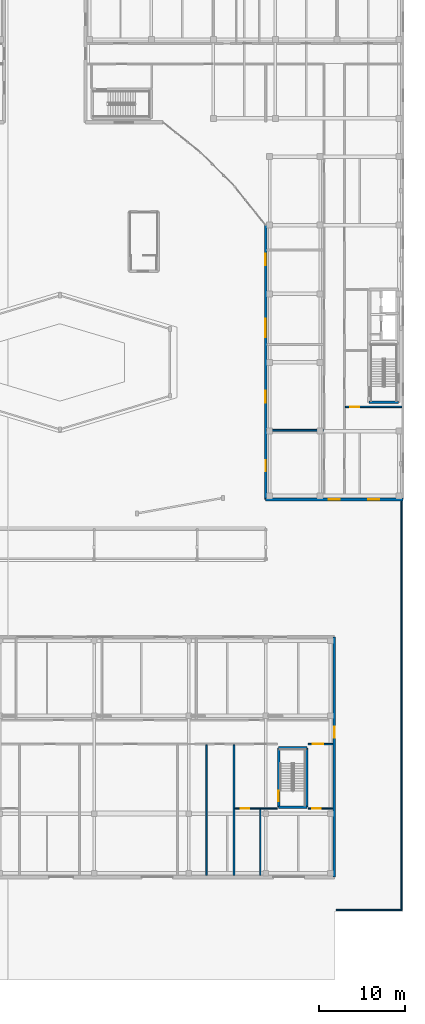
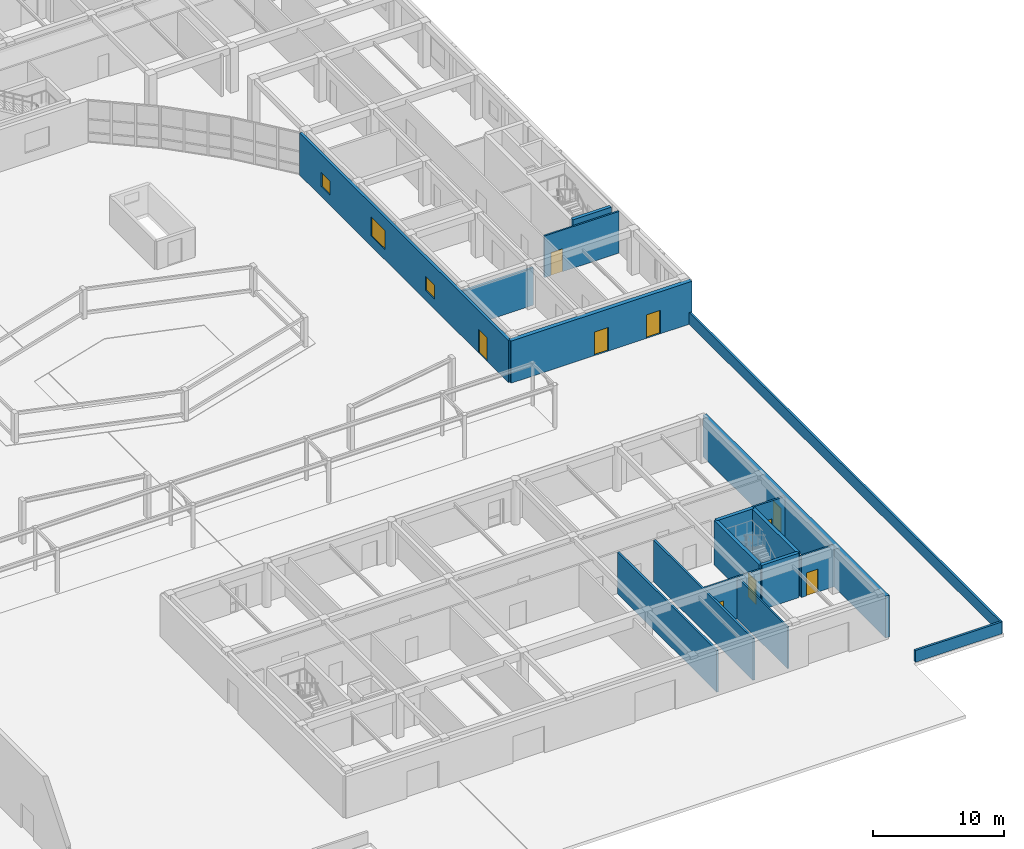
# One storey, part 88 of 114: 18 walls, 9 doors, 3 windows, 12 openings.
"""IFC4 building model written with IfcOpenShell, lengths in metres."""

from ifc_helpers import new_model, si_unit, direction, frame, frame_2d, origin, place, context, subcontext, project, spatial, rectangle, extrude, material, layer, layer_set, type_object, element, fill, save


model = new_model("IFC4")

# Units and contexts
model_context = context("Model", 3, precision=1e-05, world=origin(), true_north=direction((0.0, 1.0)))
body_context = subcontext(model_context, "Body", "Model", "MODEL_VIEW")
ifc_project = project(units=[si_unit("LENGTHUNIT", "METRE"), si_unit("AREAUNIT", "SQUARE_METRE"), si_unit("VOLUMEUNIT", "CUBIC_METRE"), si_unit("PLANEANGLEUNIT", "RADIAN"), si_unit("MASSUNIT", "GRAM", prefix="KILO")], contexts=[model_context])

# Site, building, storey
site_placement = place(None, origin())
site = spatial("IfcSite", under=ifc_project, at=site_placement, CompositionType="ELEMENT")
building_placement = place(site_placement, origin())
building = spatial("IfcBuilding", under=site, at=building_placement, Name="Keldmere Railside Commons", CompositionType="ELEMENT")
storey_placement = place(building_placement, origin())
storey = spatial("IfcBuildingStorey", under=building, at=storey_placement, Name="L00", CompositionType="ELEMENT", Elevation=0.0)

# Walls
ifc_material_1 = material(Name="Acoustic Gypsum Board Partition", Category="gypsum")
ifc_layer_1 = layer(ifc_material_1, 0.179931640625, Name="Acoustic Demising Partition 180")
ifc_layer_set_1 = layer_set([ifc_layer_1], Name="Acoustic Gypsum Board Partition")
wall_type_1 = type_object("IfcWallType", Name="Acoustic Demising Partition 180", PredefinedType="PARTITIONING", material=ifc_layer_set_1)
for number, where, z_axis, x_axis, name in (
    (1, (164.300048828125, 12.199951171875, 0.0), (0.0, 0.0, 1.0), (0.0, 1.0, 0.0), "IW-1 IW-L00-0135"),
    (2, (161.10009765625, 12.199951171875, 0.0), (0.0, 0.0, 1.0), (0.0, 1.0, 0.0), "IW-1 IW-L00-0141"),
):
    element("IfcWall", number, at=place(storey_placement, frame(where, z_axis=z_axis, x_axis=x_axis)), inside=storey, type_object=wall_type_1, Name=name, PredefinedType="PARTITIONING", context=body_context, shape_type="SweptSolid", body=[
        extrude(rectangle(XDim=15.219970703125, YDim=0.179931640625, at=frame_2d((7.60986328125, 0.0))), origin(), (0.0, 0.0, 1.0), 3.889892578125),
    ])

# Wall, opening, door
ifc_layer_2 = layer(ifc_material_1, 0.159912109375, Name="Corridor Fire Partition 160")
ifc_layer_set_2 = layer_set([ifc_layer_2], Name="Acoustic Gypsum Board Partition")
wall_type_2 = type_object("IfcWallType", Name="Corridor Fire Partition 160", PredefinedType="PARTITIONING", material=ifc_layer_set_2)
wall_1_placement = place(storey_placement, frame((172.949951171875, 27.5, 0.0), z_axis=(0.0, 0.0, 1.0), x_axis=(1.0, 0.0, 0.0)))
wall_1 = element("IfcWall", 3, at=wall_1_placement, inside=storey, type_object=wall_type_2, Name="IW-2 IW-L00-0132", PredefinedType="PARTITIONING", context=body_context, shape_type="SweptSolid", body=[
    extrude(rectangle(XDim=2.89013671875, YDim=0.159912109375, at=frame_2d((1.445068359375, 0.0))), origin(), (0.0, 0.0, 1.0), 3.889892578125),
])
opening_1_placement = place(wall_1_placement, frame((0.550048828125, 0.0, 0.0)))
opening_1 = element("IfcOpeningElement", 4, at=opening_1_placement, cuts=wall_1, Name="Opening FD-10", PredefinedType="OPENING", context=body_context, shape_type="SweptSolid", body=[
    extrude(rectangle(XDim=1.199951171875, YDim=2.199951171875, at=frame_2d((0.60009765625, 1.10009765625))), frame((0.0, 0.08984375, 0.0), z_axis=(0.0, -1.0, 0.0), x_axis=(1.0, 0.0, 0.0)), (0.0, 0.0, 1.0), 0.179931640625),
])
ifc_material_2 = material(Name="Steel F-24 (S235)", Category="steel")
door_type_1 = type_object("IfcDoorType", Name="Civic Core Fire Door 1200x2200", OperationType="NOTDEFINED", PredefinedType="DOOR", material=ifc_material_2)
door_1_placement = place(opening_1_placement, origin())
door_1 = element("IfcDoor", 5, at=door_1_placement, inside=storey, type_object=door_type_1, Name="FD-10 IDR-L00-0059", OperationType="SINGLE_SWING_LEFT", OverallHeight=2.199951171875, OverallWidth=1.199951171875, PredefinedType="DOOR", context=body_context, shape_type="SweptSolid", body=[
    extrude(rectangle(XDim=1.199951171875, YDim=2.199951171875, at=frame_2d((0.60009765625, 1.10009765625))), frame((0.0, 0.02490234375, 0.0), z_axis=(0.0, -1.0, 0.0), x_axis=(1.0, 0.0, 0.0)), (0.0, 0.0, 1.0), 0.050048828125),
])
fill(opening_1, door_1)

wall_2_placement = place(storey_placement, frame((164.389892578125, 20.0, 0.0), z_axis=(0.0, 0.0, 1.0), x_axis=(1.0, 0.0, 0.0)))
wall_2 = element("IfcWall", 6, at=wall_2_placement, inside=storey, type_object=wall_type_2, Name="IW-2 IW-L00-0144", PredefinedType="PARTITIONING", context=body_context, shape_type="SweptSolid", body=[
    extrude(rectangle(XDim=4.97021484375, YDim=0.159912109375, at=frame_2d((2.485107421875, 0.0))), origin(), (0.0, 0.0, 1.0), 3.889892578125),
])
opening_2_placement = place(wall_2_placement, frame((0.699951171875, 0.0, 0.0)))
opening_2 = element("IfcOpeningElement", 7, at=opening_2_placement, cuts=wall_2, Name="Opening FD-9", PredefinedType="OPENING", context=body_context, shape_type="SweptSolid", body=[
    extrude(rectangle(XDim=1.0, YDim=2.10009765625, at=frame_2d((0.5, 1.050048828125))), frame((0.0, 0.08984375, 0.0), z_axis=(0.0, -1.0, 0.0), x_axis=(1.0, 0.0, 0.0)), (0.0, 0.0, 1.0), 0.179931640625),
])
door_type_2 = type_object("IfcDoorType", Name="Waste & Storage Fire Door 1000x2100", OperationType="NOTDEFINED", PredefinedType="DOOR", material=ifc_material_2)
door_2_placement = place(opening_2_placement, origin())
door_2 = element("IfcDoor", 8, at=door_2_placement, inside=storey, type_object=door_type_2, Name="FD-9 IDR-L00-0069", OperationType="SINGLE_SWING_LEFT", OverallHeight=2.10009765625, OverallWidth=1.0, PredefinedType="DOOR", context=body_context, shape_type="SweptSolid", body=[
    extrude(rectangle(XDim=1.0, YDim=2.10009765625, at=frame_2d((0.5, 1.050048828125))), frame((0.0, 0.02490234375, 0.0), z_axis=(0.0, -1.0, 0.0), x_axis=(1.0, 0.0, 0.0)), (0.0, 0.0, 1.0), 0.050048828125),
])
fill(opening_2, door_2)

wall_3_placement = place(storey_placement, frame((172.949951171875, 20.0, 0.0), z_axis=(0.0, 0.0, 1.0), x_axis=(1.0, 0.0, 0.0)))
wall_3 = element("IfcWall", 9, at=wall_3_placement, inside=storey, type_object=wall_type_2, Name="IW-2 IW-L00-0145", PredefinedType="PARTITIONING", context=body_context, shape_type="SweptSolid", body=[
    extrude(rectangle(XDim=2.89013671875, YDim=0.159912109375, at=frame_2d((1.445068359375, 0.0))), origin(), (0.0, 0.0, 1.0), 3.889892578125),
])
opening_3_placement = place(wall_3_placement, frame((0.449951171875, 0.0, 0.0)))
opening_3 = element("IfcOpeningElement", 10, at=opening_3_placement, cuts=wall_3, Name="Opening ID-14", PredefinedType="OPENING", context=body_context, shape_type="SweptSolid", body=[
    extrude(rectangle(XDim=1.0400390625, YDim=2.14990234375, at=frame_2d((0.52001953125, 1.074951171875))), frame((0.0, 0.08984375, 0.0), z_axis=(0.0, -1.0, 0.0), x_axis=(1.0, 0.0, 0.0)), (0.0, 0.0, 1.0), 0.179931640625),
])
door_type_3 = type_object("IfcDoorType", Name="Market Shop Back-of-House Door 1040x2150", OperationType="NOTDEFINED", PredefinedType="DOOR", material=ifc_material_2)
door_3_placement = place(opening_3_placement, origin())
door_3 = element("IfcDoor", 11, at=door_3_placement, inside=storey, type_object=door_type_3, Name="ID-14 IDR-L00-0070", OperationType="SINGLE_SWING_RIGHT", OverallHeight=2.14990234375, OverallWidth=1.0400390625, PredefinedType="DOOR", context=body_context, shape_type="SweptSolid", body=[
    extrude(rectangle(XDim=1.0400390625, YDim=2.14990234375, at=frame_2d((0.52001953125, 1.074951171875))), frame((0.0, 0.02490234375, 0.0), z_axis=(0.0, -1.0, 0.0), x_axis=(1.0, 0.0, 0.0)), (0.0, 0.0, 1.0), 0.050048828125),
])
fill(opening_3, door_3)

ifc_material_3 = material(Name="Concrete H-35 (C35/45)", Category="concrete")
ifc_layer_3 = layer(ifc_material_3, 0.320068359375, Name="Exterior Shear Wall 320")
ifc_layer_set_3 = layer_set([ifc_layer_3], Name="Concrete H-35 (C35/45)")
wall_type_3 = type_object("IfcWallType", Name="Exterior Shear Wall 320", PredefinedType="SHEAR", material=ifc_layer_set_3)
wall_4_placement = place(storey_placement, frame((176.0, 40.0, 0.0), z_axis=(0.0, 0.0, 1.0), x_axis=(0.0, -1.0, 0.0)))
wall_4 = element("IfcWall", 12, at=wall_4_placement, inside=storey, type_object=wall_type_3, Name="ESW-2 ARCE-L00-1008", PredefinedType="SHEAR", context=body_context, shape_type="SweptSolid", body=[
    extrude(rectangle(XDim=28.0, YDim=0.320068359375, at=frame_2d((14.0, 0.0))), origin(), (0.0, 0.0, 1.0), 3.89990234375),
])
opening_4_placement = place(wall_4_placement, frame((10.47998046875, 0.0, 0.0)))
opening_4 = element("IfcOpeningElement", 13, at=opening_4_placement, cuts=wall_4, Name="Opening ED-02", PredefinedType="OPENING", context=body_context, shape_type="SweptSolid", body=[
    extrude(rectangle(XDim=1.25, YDim=2.199951171875, at=frame_2d((0.625, 1.10009765625))), frame((0.0, 0.169921875, 0.0), z_axis=(0.0, -1.0, 0.0), x_axis=(1.0, 0.0, 0.0)), (0.0, 0.0, 1.0), 0.340087890625),
])
door_type_4 = type_object("IfcDoorType", Name="Stair Final Escape Exit Door 1250x2200", OperationType="NOTDEFINED", PredefinedType="DOOR", material=ifc_material_2)
door_4_placement = place(opening_4_placement, origin())
door_4 = element("IfcDoor", 14, at=door_4_placement, inside=storey, type_object=door_type_4, Name="ED-02 DR-L00-0311", OperationType="SINGLE_SWING_LEFT", OverallHeight=2.199951171875, OverallWidth=1.25, PredefinedType="DOOR", context=body_context, shape_type="SweptSolid", body=[
    extrude(rectangle(XDim=1.25, YDim=2.199951171875, at=frame_2d((0.625, 1.10009765625))), frame((0.0, 0.02490234375, 0.0), z_axis=(0.0, -1.0, 0.0), x_axis=(1.0, 0.0, 0.0)), (0.0, 0.0, 1.0), 0.050048828125),
])
fill(opening_4, door_4)

# Wall, openings, doors
ifc_layer_4 = layer(ifc_material_3, 0.360107421875, Name="Exterior Shear Wall 360")
ifc_layer_set_4 = layer_set([ifc_layer_4], Name="Concrete H-35 (C35/45)")
wall_type_4 = type_object("IfcWallType", Name="Exterior Shear Wall 360", PredefinedType="SHEAR", material=ifc_layer_set_4)
wall_5_placement = place(storey_placement, frame((184.0, 56.0, 0.0), z_axis=(0.0, 0.0, 1.0), x_axis=(-1.0, 0.0, 0.0)))
wall_5 = element("IfcWall", 15, at=wall_5_placement, inside=storey, type_object=wall_type_4, Name="ESW-1 EXTA-L00-0876", PredefinedType="SHEAR", context=body_context, shape_type="SweptSolid", body=[
    extrude(rectangle(XDim=16.0, YDim=0.360107421875, at=frame_2d((8.0, 0.0))), origin(), (0.0, 0.0, 1.0), 3.93994140625),
])
opening_5_placement = place(wall_5_placement, frame((7.375, 0.0, 0.0)))
opening_5 = element("IfcOpeningElement", 16, at=opening_5_placement, cuts=wall_5, Name="Opening ED-02", PredefinedType="OPENING", context=body_context, shape_type="SweptSolid", body=[
    extrude(rectangle(XDim=1.25, YDim=2.199951171875, at=frame_2d((0.625, 1.10009765625))), frame((0.0, 0.18994140625, 0.0), z_axis=(0.0, -1.0, 0.0), x_axis=(1.0, 0.0, 0.0)), (0.0, 0.0, 1.0), 0.380126953125),
])
opening_6_placement = place(wall_5_placement, frame((2.77490234375, 0.0, 0.0)))
opening_6 = element("IfcOpeningElement", 17, at=opening_6_placement, cuts=wall_5, Name="Opening ED-02", PredefinedType="OPENING", context=body_context, shape_type="SweptSolid", body=[
    extrude(rectangle(XDim=1.25, YDim=2.199951171875, at=frame_2d((0.625, 1.10009765625))), frame((0.0, 0.18994140625, 0.0), z_axis=(0.0, -1.0, 0.0), x_axis=(1.0, 0.0, 0.0)), (0.0, 0.0, 1.0), 0.380126953125),
])
door_5_placement = place(opening_5_placement, origin())
door_5 = element("IfcDoor", 18, at=door_5_placement, inside=storey, type_object=door_type_4, Name="ED-02 DR-L00-0214", OperationType="SINGLE_SWING_LEFT", OverallHeight=2.199951171875, OverallWidth=1.25, PredefinedType="DOOR", context=body_context, shape_type="SweptSolid", body=[
    extrude(rectangle(XDim=1.25, YDim=2.199951171875, at=frame_2d((0.625, 1.10009765625))), frame((0.0, 0.02490234375, 0.0), z_axis=(0.0, -1.0, 0.0), x_axis=(1.0, 0.0, 0.0)), (0.0, 0.0, 1.0), 0.050048828125),
])
fill(opening_5, door_5)
door_6_placement = place(opening_6_placement, origin())
door_6 = element("IfcDoor", 19, at=door_6_placement, inside=storey, type_object=door_type_4, Name="ED-02 DR-L00-0215", OperationType="SINGLE_SWING_RIGHT", OverallHeight=2.199951171875, OverallWidth=1.25, PredefinedType="DOOR", context=body_context, shape_type="SweptSolid", body=[
    extrude(rectangle(XDim=1.25, YDim=2.199951171875, at=frame_2d((0.625, 1.10009765625))), frame((0.0, 0.02490234375, 0.0), z_axis=(0.0, -1.0, 0.0), x_axis=(1.0, 0.0, 0.0)), (0.0, 0.0, 1.0), 0.050048828125),
])
fill(opening_6, door_6)

# Walls
ifc_layer_5 = layer(ifc_material_3, 0.300048828125, Name="Interior Shear Wall 300")
ifc_layer_set_5 = layer_set([ifc_layer_5], Name="Concrete H-35 (C35/45)")
wall_type_5 = type_object("IfcWallType", Name="Interior Shear Wall 300", PredefinedType="SHEAR", material=ifc_layer_set_5)
wall_6_placement = place(storey_placement, frame((183.469970703125, 67.35009765625, 0.0), z_axis=(0.0, 0.0, 1.0), x_axis=(-1.0, 0.0, 0.0)))
element("IfcWall", 20, at=wall_6_placement, inside=storey, type_object=wall_type_5, Name="ISW-2 COREAS-L00-0711", PredefinedType="SHEAR", context=body_context, shape_type="SweptSolid", body=[
    extrude(rectangle(XDim=3.409912109375, YDim=0.300048828125, at=frame_2d((1.705078125, 0.0))), origin(), (0.0, 0.0, 1.0), 4.159912109375),
])
wall_7_placement = place(storey_placement, frame((172.800048828125, 20.14990234375, 0.0), z_axis=(0.0, 0.0, 1.0), x_axis=(-1.0, 0.0, 0.0)))
element("IfcWall", 21, at=wall_7_placement, inside=storey, type_object=wall_type_5, Name="ISW-2 WAL-ST-M2-L00-S", PredefinedType="SHEAR", context=body_context, shape_type="SweptSolid", body=[
    extrude(rectangle(XDim=3.2900390625, YDim=0.300048828125, at=frame_2d((1.64501953125, 0.0))), origin(), (0.0, 0.0, 1.0), 4.159912109375),
])
wall_8_placement = place(storey_placement, frame((172.800048828125, 27.050048828125, 0.0), z_axis=(0.0, 0.0, 1.0), x_axis=(0.0, -1.0, 0.0)))
element("IfcWall", 22, at=wall_8_placement, inside=storey, type_object=wall_type_5, Name="ISW-2 WAL-ST-M2-L00-E", PredefinedType="SHEAR", context=body_context, shape_type="SweptSolid", body=[
    extrude(rectangle(XDim=6.900146484375, YDim=0.300048828125, at=frame_2d((3.4501953125, 0.0))), origin(), (0.0, 0.0, 1.0), 4.159912109375),
])
wall_9_placement = place(storey_placement, frame((169.510009765625, 27.050048828125, 0.0), z_axis=(0.0, 0.0, 1.0), x_axis=(1.0, 0.0, 0.0)))
element("IfcWall", 23, at=wall_9_placement, inside=storey, type_object=wall_type_5, Name="ISW-2 WAL-ST-M2-L00-N", PredefinedType="SHEAR", context=body_context, shape_type="SweptSolid", body=[
    extrude(rectangle(XDim=3.2900390625, YDim=0.300048828125, at=frame_2d((1.64501953125, 0.0))), origin(), (0.0, 0.0, 1.0), 4.159912109375),
])

# Wall, opening, door
wall_10_placement = place(storey_placement, frame((169.510009765625, 20.14990234375, 0.0), z_axis=(0.0, 0.0, 1.0), x_axis=(0.0, 1.0, 0.0)))
wall_10 = element("IfcWall", 24, at=wall_10_placement, inside=storey, type_object=wall_type_5, Name="ISW-2 WAL-ST-M2-L00-W", PredefinedType="SHEAR", context=body_context, shape_type="SweptSolid", body=[
    extrude(rectangle(XDim=6.900146484375, YDim=0.300048828125, at=frame_2d((3.4501953125, 0.0))), origin(), (0.0, 0.0, 1.0), 4.159912109375),
])
opening_7_placement = place(wall_10_placement, frame((0.699951171875, 0.0, 0.0)))
opening_7 = element("IfcOpeningElement", 25, at=opening_7_placement, cuts=wall_10, Name="Opening FD-10", PredefinedType="OPENING", context=body_context, shape_type="SweptSolid", body=[
    extrude(rectangle(XDim=1.199951171875, YDim=2.199951171875, at=frame_2d((0.60009765625, 1.10009765625))), frame((0.0, 0.159912109375, 0.0), z_axis=(0.0, -1.0, 0.0), x_axis=(1.0, 0.0, 0.0)), (0.0, 0.0, 1.0), 0.320068359375),
])
door_7_placement = place(opening_7_placement, origin())
door_7 = element("IfcDoor", 26, at=door_7_placement, inside=storey, type_object=door_type_1, Name="FD-3 ST-M2 L00", OperationType="SINGLE_SWING_LEFT", OverallHeight=2.199951171875, OverallWidth=1.199951171875, PredefinedType="DOOR", context=body_context, shape_type="SweptSolid", body=[
    extrude(rectangle(XDim=1.199951171875, YDim=2.199951171875, at=frame_2d((0.60009765625, 1.10009765625))), frame((0.0, 0.02490234375, 0.0), z_axis=(0.0, -1.0, 0.0), x_axis=(1.0, 0.0, 0.0)), (0.0, 0.0, 1.0), 0.050048828125),
])
fill(opening_7, door_7)

ifc_layer_6 = layer(ifc_material_1, 0.14990234375, Name="Lobby Rated Partition 150")
ifc_layer_set_6 = layer_set([ifc_layer_6], Name="Acoustic Gypsum Board Partition")
wall_type_6 = type_object("IfcWallType", Name="Lobby Rated Partition 150", PredefinedType="PARTITIONING", material=ifc_layer_set_6)
wall_11_placement = place(storey_placement, frame((177.280029296875, 66.820068359375, 0.0), z_axis=(0.0, 0.0, 1.0), x_axis=(1.0, 0.0, 0.0)))
wall_11 = element("IfcWall", 27, at=wall_11_placement, inside=storey, type_object=wall_type_6, Name="IW-3 IW-L00-1401", PredefinedType="PARTITIONING", context=body_context, shape_type="SweptSolid", body=[
    extrude(rectangle(XDim=6.599853515625, YDim=0.14990234375, at=frame_2d((3.2998046875, 0.0))), origin(), (0.0, 0.0, 1.0), 3.89501953125),
])
opening_8_placement = place(wall_11_placement, frame((0.550048828125, 0.0, 0.0)))
opening_8 = element("IfcOpeningElement", 28, at=opening_8_placement, cuts=wall_11, Name="Opening FD-1", PredefinedType="OPENING", context=body_context, shape_type="SweptSolid", body=[
    extrude(rectangle(XDim=1.050048828125, YDim=2.14990234375, at=frame_2d((0.52490234375, 1.074951171875))), frame((0.0, 0.0849609375, 0.0), z_axis=(0.0, -1.0, 0.0), x_axis=(1.0, 0.0, 0.0)), (0.0, 0.0, 1.0), 0.169921875),
])
door_type_5 = type_object("IfcDoorType", Name="Stair Core Fire Door 1050x2150", OperationType="NOTDEFINED", PredefinedType="DOOR", material=ifc_material_2)
door_8_placement = place(opening_8_placement, origin())
door_8 = element("IfcDoor", 29, at=door_8_placement, inside=storey, type_object=door_type_5, Name="FD-1 IDR-L00-1260", OperationType="SINGLE_SWING_RIGHT", OverallHeight=2.14990234375, OverallWidth=1.050048828125, PredefinedType="DOOR", context=body_context, shape_type="SweptSolid", body=[
    extrude(rectangle(XDim=1.050048828125, YDim=2.14990234375, at=frame_2d((0.52490234375, 1.074951171875))), frame((0.0, 0.02490234375, 0.0), z_axis=(0.0, -1.0, 0.0), x_axis=(1.0, 0.0, 0.0)), (0.0, 0.0, 1.0), 0.050048828125),
])
fill(opening_8, door_8)

# Walls
ifc_material_4 = material(Name="Terracotta Brick Masonry", Category="masonry")
ifc_layer_7 = layer(ifc_material_4, 0.199951171875, Name="Plant Masonry Infill Wall 200")
ifc_layer_set_7 = layer_set([ifc_layer_7], Name="Terracotta Brick Masonry")
wall_type_7 = type_object("IfcWallType", Name="Plant Masonry Infill Wall 200", PredefinedType="SOLIDWALL", material=ifc_layer_set_7)
wall_12_placement = place(storey_placement, frame((168.1201171875, 64.10009765625, 0.0), z_axis=(0.0, 0.0, 1.0), x_axis=(1.0, 0.0, 0.0)))
element("IfcWall", 30, at=wall_12_placement, inside=storey, type_object=wall_type_7, Name="MW-1 IW-L00-1412", PredefinedType="SOLIDWALL", context=body_context, shape_type="SweptSolid", body=[
    extrude(rectangle(XDim=6.599853515625, YDim=0.199951171875, at=frame_2d((3.2998046875, 0.0))), origin(), (0.0, 0.0, 1.0), 3.489990234375),
])
ifc_material_5 = material(Name="Architectural Precast Concrete H-35 (C35/45)", Category="concrete")
ifc_layer_8 = layer(ifc_material_5, 0.18994140625, Name="Roof Parapet Wall 190")
ifc_layer_set_8 = layer_set([ifc_layer_8], Name="Architectural Precast Concrete H-35 (C35/45)")
wall_type_8 = type_object("IfcWallType", Name="Roof Parapet Wall 190", PredefinedType="PARAPET", material=ifc_layer_set_8)
wall_13_placement = place(storey_placement, frame((176.199951171875, 8.14990234375, 0.0), z_axis=(0.0, 0.0, 1.0), x_axis=(1.0, 0.0, 0.0)))
element("IfcWall", 31, at=wall_13_placement, inside=storey, type_object=wall_type_8, Name="PW-1 PLP-L00-0011", PredefinedType="PARAPET", context=body_context, shape_type="SweptSolid", body=[
    extrude(rectangle(XDim=7.650146484375, YDim=0.18994140625, at=frame_2d((3.8251953125, 0.0))), origin(), (0.0, 0.0, 1.0), 1.10009765625),
])
wall_14_placement = place(storey_placement, frame((183.85009765625, 8.14990234375, 0.0), z_axis=(0.0, 0.0, 1.0), x_axis=(0.0, 1.0, 0.0)))
element("IfcWall", 32, at=wall_14_placement, inside=storey, type_object=wall_type_8, Name="PW-1 PLP-L00-0012", PredefinedType="PARAPET", context=body_context, shape_type="SweptSolid", body=[
    extrude(rectangle(XDim=47.650146484375, YDim=0.18994140625, at=frame_2d((23.8251953125, 0.0))), origin(), (0.0, 0.0, 1.0), 1.10009765625),
])

# Wall, openings, windows, door
ifc_layer_9 = layer(ifc_material_5, 0.239990234375, Name="Sand-Ochre Precast Cavity Wall 240")
ifc_layer_set_9 = layer_set([ifc_layer_9], Name="Architectural Precast Concrete H-35 (C35/45)")
wall_type_9 = type_object("IfcWallType", Name="Sand-Ochre Precast Cavity Wall 240", PredefinedType="SOLIDWALL", material=ifc_layer_set_9)
wall_15_placement = place(storey_placement, frame((168.0, 56.0, 0.0), z_axis=(0.0, 0.0, 1.0), x_axis=(0.0, 1.0, 0.0)))
wall_15 = element("IfcWall", 33, at=wall_15_placement, inside=storey, type_object=wall_type_9, Name="EW-2 EXTA-L00-0881", PredefinedType="SOLIDWALL", context=body_context, shape_type="SweptSolid", body=[
    extrude(rectangle(XDim=32.0, YDim=0.239990234375, at=frame_2d((16.0, 0.0))), origin(), (0.0, 0.0, 1.0), 3.93994140625),
])
opening_9_placement = place(wall_15_placement, frame((3.300048828125, 0.0, 0.0)))
opening_9 = element("IfcOpeningElement", 34, at=opening_9_placement, cuts=wall_15, Name="Opening BD-04", PredefinedType="OPENING", context=body_context, shape_type="SweptSolid", body=[
    extrude(rectangle(XDim=1.300048828125, YDim=2.199951171875, at=frame_2d((0.64990234375, 1.10009765625))), frame((0.0, 0.1298828125, 0.0), z_axis=(0.0, -1.0, 0.0), x_axis=(1.0, 0.0, 0.0)), (0.0, 0.0, 1.0), 0.260009765625),
])
opening_10_placement = place(wall_15_placement, frame((11.324951171875, 0.0, 0.949951171875)))
opening_10 = element("IfcOpeningElement", 35, at=opening_10_placement, cuts=wall_15, Name="Opening WN-25", PredefinedType="OPENING", context=body_context, shape_type="SweptSolid", body=[
    extrude(rectangle(XDim=1.35009765625, YDim=1.300048828125, at=frame_2d((0.675048828125, 0.64990234375))), frame((0.0, 0.1298828125, 0.0), z_axis=(0.0, -1.0, 0.0), x_axis=(1.0, 0.0, 0.0)), (0.0, 0.0, 1.0), 0.260009765625),
])
opening_11_placement = place(wall_15_placement, frame((18.925048828125, 0.0, 0.949951171875)))
opening_11 = element("IfcOpeningElement", 36, at=opening_11_placement, cuts=wall_15, Name="Opening WN-41", PredefinedType="OPENING", context=body_context, shape_type="SweptSolid", body=[
    extrude(rectangle(XDim=2.14990234375, YDim=1.800048828125, at=frame_2d((1.074951171875, 0.89990234375))), frame((0.0, 0.1298828125, 0.0), z_axis=(0.0, -1.0, 0.0), x_axis=(1.0, 0.0, 0.0)), (0.0, 0.0, 1.0), 0.260009765625),
])
opening_12_placement = place(wall_15_placement, frame((27.324951171875, 0.0, 0.949951171875)))
opening_12 = element("IfcOpeningElement", 37, at=opening_12_placement, cuts=wall_15, Name="Opening WN-25", PredefinedType="OPENING", context=body_context, shape_type="SweptSolid", body=[
    extrude(rectangle(XDim=1.35009765625, YDim=1.300048828125, at=frame_2d((0.675048828125, 0.64990234375))), frame((0.0, 0.1298828125, 0.0), z_axis=(0.0, -1.0, 0.0), x_axis=(1.0, 0.0, 0.0)), (0.0, 0.0, 1.0), 0.260009765625),
])
ifc_material_6 = material(Name="Low-E Insulated Double Glazing", Category="glass")
window_type_1 = type_object("IfcWindowType", Name="North Plinth Gallery Window 2150x1800", PartitioningType="SINGLE_PANEL", PredefinedType="WINDOW", material=ifc_material_6)
window_1_placement = place(opening_11_placement, origin())
window_1 = element("IfcWindow", 38, at=window_1_placement, inside=storey, type_object=window_type_1, Name="WN-41 WIN-L00-0582", OverallHeight=1.800048828125, OverallWidth=2.14990234375, PartitioningType="SINGLE_PANEL", PredefinedType="WINDOW", context=body_context, shape_type="SweptSolid", body=[
    extrude(rectangle(XDim=2.14990234375, YDim=1.800048828125, at=frame_2d((1.074951171875, 0.89990234375))), frame((0.0, 0.030029296875, 0.0), z_axis=(0.0, -1.0, 0.0), x_axis=(1.0, 0.0, 0.0)), (0.0, 0.0, 1.0), 0.06005859375),
])
fill(opening_11, window_1)
window_type_2 = type_object("IfcWindowType", Name="Podium Laundry & Mailroom Window 1350x1300", PartitioningType="SINGLE_PANEL", PredefinedType="WINDOW", material=ifc_material_6)
window_2_placement = place(opening_10_placement, origin())
window_2 = element("IfcWindow", 39, at=window_2_placement, inside=storey, type_object=window_type_2, Name="WN-25 WIN-L00-0581", OverallHeight=1.300048828125, OverallWidth=1.35009765625, PartitioningType="SINGLE_PANEL", PredefinedType="WINDOW", context=body_context, shape_type="SweptSolid", body=[
    extrude(rectangle(XDim=1.35009765625, YDim=1.300048828125, at=frame_2d((0.675048828125, 0.64990234375))), frame((0.0, 0.030029296875, 0.0), z_axis=(0.0, -1.0, 0.0), x_axis=(1.0, 0.0, 0.0)), (0.0, 0.0, 1.0), 0.06005859375),
])
fill(opening_10, window_2)
window_3_placement = place(opening_12_placement, origin())
window_3 = element("IfcWindow", 40, at=window_3_placement, inside=storey, type_object=window_type_2, Name="WN-25 WIN-L00-0583", OverallHeight=1.300048828125, OverallWidth=1.35009765625, PartitioningType="SINGLE_PANEL", PredefinedType="WINDOW", context=body_context, shape_type="SweptSolid", body=[
    extrude(rectangle(XDim=1.35009765625, YDim=1.300048828125, at=frame_2d((0.675048828125, 0.64990234375))), frame((0.0, 0.030029296875, 0.0), z_axis=(0.0, -1.0, 0.0), x_axis=(1.0, 0.0, 0.0)), (0.0, 0.0, 1.0), 0.06005859375),
])
fill(opening_12, window_3)
ifc_material_7 = material(Name="Thermally Broken Aluminium", Category="aluminium")
door_type_6 = type_object("IfcDoorType", Name="Shared Court-Deck Access Door 1300x2200", OperationType="NOTDEFINED", PredefinedType="DOOR", material=ifc_material_7)
door_9_placement = place(opening_9_placement, origin())
door_9 = element("IfcDoor", 41, at=door_9_placement, inside=storey, type_object=door_type_6, Name="BD-04 DR-L00-0219", OperationType="SINGLE_SWING_LEFT", OverallHeight=2.199951171875, OverallWidth=1.300048828125, PredefinedType="DOOR", context=body_context, shape_type="SweptSolid", body=[
    extrude(rectangle(XDim=1.300048828125, YDim=2.199951171875, at=frame_2d((0.64990234375, 1.10009765625))), frame((0.0, 0.02490234375, 0.0), z_axis=(0.0, -1.0, 0.0), x_axis=(1.0, 0.0, 0.0)), (0.0, 0.0, 1.0), 0.050048828125),
])
fill(opening_9, door_9)

# Wall
ifc_layer_10 = layer(ifc_material_1, 0.139892578125, Name="Wet-Room Sanitary Partition 140")
ifc_layer_set_10 = layer_set([ifc_layer_10], Name="Acoustic Gypsum Board Partition")
wall_type_10 = type_object("IfcWallType", Name="Wet-Room Sanitary Partition 140", PredefinedType="PARTITIONING", material=ifc_layer_set_10)
wall_16_placement = place(storey_placement, frame((167.35009765625, 12.199951171875, 0.0), z_axis=(0.0, 0.0, 1.0), x_axis=(0.0, 1.0, 0.0)))
element("IfcWall", 42, at=wall_16_placement, inside=storey, type_object=wall_type_10, Name="IW-5 IW-L00-0146", PredefinedType="PARTITIONING", context=body_context, shape_type="SweptSolid", body=[
    extrude(rectangle(XDim=7.719970703125, YDim=0.139892578125, at=frame_2d((3.85986328125, 0.0))), origin(), (0.0, 0.0, 1.0), 3.889892578125),
])

save(model, "model.ifc")
